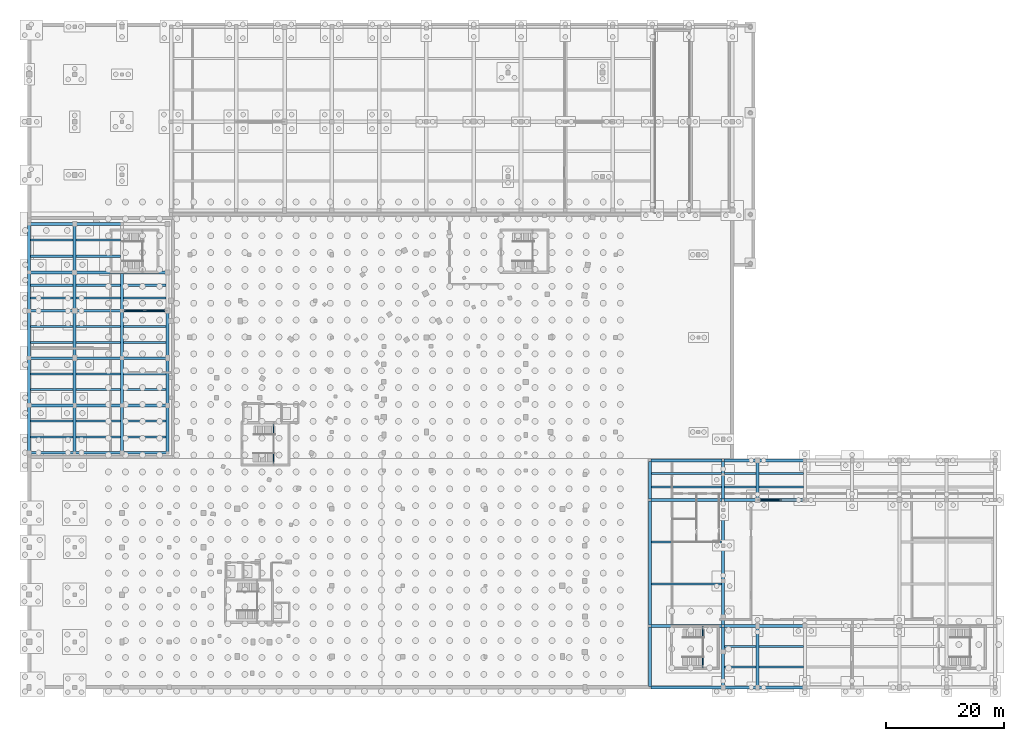
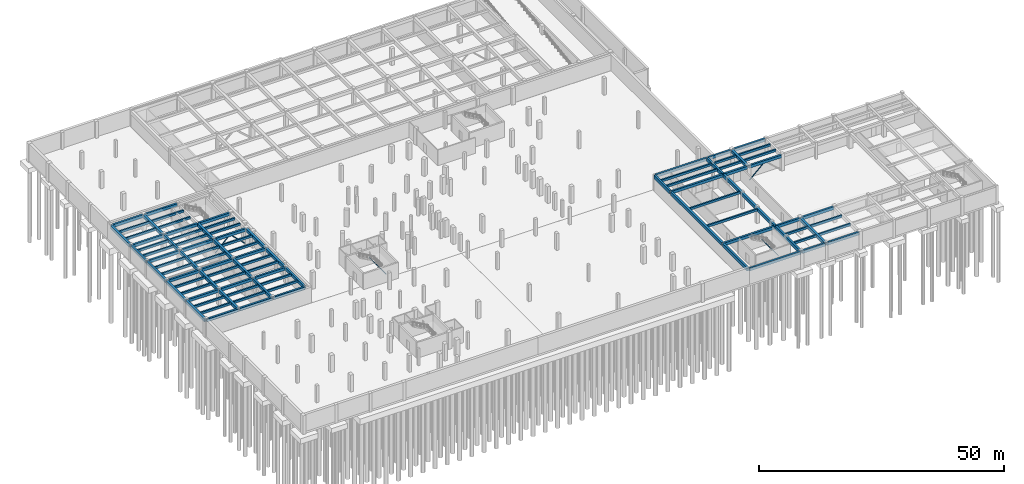
# One storey, part 10 of 36: 94 beams, 5 members.
"""IFC4 building model written with IfcOpenShell, lengths in metres."""

from ifc_helpers import new_model, si_unit, direction, frame, origin, origin_2d, place, context, subcontext, project, spatial, rectangle, hollow_rectangle, hollow_circle, extrude, material, material_profile, profile_set, type_object, element, save


model = new_model("IFC4")

# Units and contexts
model_context = context("Model", 3, precision=1e-05, world=origin(), true_north=direction((0.0, 1.0)))
body_context = subcontext(model_context, "Body", "Model", "MODEL_VIEW")
ifc_project = project(units=[si_unit("LENGTHUNIT", "METRE"), si_unit("AREAUNIT", "SQUARE_METRE"), si_unit("VOLUMEUNIT", "CUBIC_METRE"), si_unit("PLANEANGLEUNIT", "RADIAN"), si_unit("MASSUNIT", "GRAM", prefix="KILO"), si_unit("THERMODYNAMICTEMPERATUREUNIT", "KELVIN"), si_unit("POWERUNIT", "WATT")], contexts=[model_context])

# Site, building, storey
site_placement = place(None, origin())
site = spatial("IfcSite", under=ifc_project, at=site_placement, CompositionType="ELEMENT")
building_placement = place(site_placement, origin())
building = spatial("IfcBuilding", under=site, at=building_placement, Name="Solvatero Civic Police Headquarters", CompositionType="ELEMENT")
storey_placement = place(building_placement, frame((0.0, 0.0, -8.39990234375)))
storey = spatial("IfcBuildingStorey", under=building, at=storey_placement, Name="B02", CompositionType="ELEMENT", Elevation=-8.39990234375)

# Beams
ifc_material_1 = material(Name="Concrete C40/50", Category="concrete")
ifc_material_profile_1 = material_profile(ifc_material_1, rectangle(XDim=0.35009765625, YDim=0.550048828125, at=origin_2d()), Name="RC 350x550")
ifc_profile_set_1 = profile_set([ifc_material_profile_1], Name="Concrete C40/50")
beam_type_1 = type_object("IfcBeamType", Name="BM-RC-350x550", PredefinedType="BEAM", material=ifc_profile_set_1)
for number, where, z_axis, x_axis, name in (
    (1, (5.050048828125, 47.166748046875, 3.64501953125), (1.0, 0.0, 0.0), (0.0, 1.0, 0.0), "Primary girder BM-R2-B02-V6B-SEC-1-1-S1"),
    (2, (5.050048828125, 49.833251953125, 3.64501953125), (1.0, 0.0, 0.0), (0.0, 1.0, 0.0), "Primary girder BM-R2-B02-V6B-SEC-1-1-S2"),
    (3, (5.050048828125, 55.166748046875, 3.64501953125), (1.0, 0.0, 0.0), (0.0, 1.0, 0.0), "Primary girder BM-R2-B02-V6B-SEC-1-2-S1"),
    (4, (5.050048828125, 57.833251953125, 3.64501953125), (1.0, 0.0, 0.0), (0.0, 1.0, 0.0), "Primary girder BM-R2-B02-V6B-SEC-1-2-S2"),
    (5, (5.050048828125, 63.166748046875, 3.64501953125), (1.0, 0.0, 0.0), (0.0, 1.0, 0.0), "Primary girder BM-R2-B02-V6B-SEC-1-3-S1"),
    (6, (5.050048828125, 65.833251953125, 3.64501953125), (1.0, 0.0, 0.0), (0.0, 1.0, 0.0), "Primary girder BM-R2-B02-V6B-SEC-1-3-S2"),
    (7, (5.050048828125, 70.666748046875, 3.64501953125), (1.0, 0.0, 0.0), (0.0, 1.0, 0.0), "Primary girder BM-R2-B02-V6B-SEC-1-4-S1"),
    (8, (5.050048828125, 72.833251953125, 3.64501953125), (1.0, 0.0, 0.0), (0.0, 1.0, 0.0), "Primary girder BM-R2-B02-V6B-SEC-1-4-S2"),
    (9, (5.050048828125, 77.7333984375, 3.64501953125), (1.0, 0.0, 0.0), (0.0, 1.0, 0.0), "Primary girder BM-R2-B02-V6B-SEC-1-5-S1"),
    (10, (5.050048828125, 80.466796875, 3.64501953125), (1.0, 0.0, 0.0), (0.0, 1.0, 0.0), "Primary girder BM-R2-B02-V6B-SEC-1-5-S2"),
):
    element("IfcBeam", number, at=place(storey_placement, frame(where, z_axis=z_axis, x_axis=x_axis)), inside=storey, type_object=beam_type_1, Name=name, PredefinedType="BEAM", context=body_context, shape_type="SweptSolid", body=[
        extrude(rectangle(XDim=0.35009765625, YDim=0.550048828125, at=origin_2d()), origin(), (0.0, 0.0, 1.0), 7.199951171875),
    ])
for number, where, z_axis, x_axis, name in (
    (11, (12.75, 47.166748046875, 3.64501953125), (1.0, 0.0, 0.0), (0.0, 1.0, 0.0), "Primary girder BM-R2-B02-V6B-SEC-2-1-S1"),
    (12, (12.75, 49.833251953125, 3.64501953125), (1.0, 0.0, 0.0), (0.0, 1.0, 0.0), "Primary girder BM-R2-B02-V6B-SEC-2-1-S2"),
    (13, (12.75, 55.166748046875, 3.64501953125), (1.0, 0.0, 0.0), (0.0, 1.0, 0.0), "Primary girder BM-R2-B02-V6B-SEC-2-2-S1"),
    (14, (12.75, 57.833251953125, 3.64501953125), (1.0, 0.0, 0.0), (0.0, 1.0, 0.0), "Primary girder BM-R2-B02-V6B-SEC-2-2-S2"),
    (15, (12.75, 63.166748046875, 3.64501953125), (1.0, 0.0, 0.0), (0.0, 1.0, 0.0), "Primary girder BM-R2-B02-V6B-SEC-2-3-S1"),
    (16, (12.75, 65.833251953125, 3.64501953125), (1.0, 0.0, 0.0), (0.0, 1.0, 0.0), "Primary girder BM-R2-B02-V6B-SEC-2-3-S2"),
    (17, (12.75, 70.666748046875, 3.64501953125), (1.0, 0.0, 0.0), (0.0, 1.0, 0.0), "Primary girder BM-R2-B02-V6B-SEC-2-4-S1"),
    (18, (12.75, 72.833251953125, 3.64501953125), (1.0, 0.0, 0.0), (0.0, 1.0, 0.0), "Primary girder BM-R2-B02-V6B-SEC-2-4-S2"),
    (19, (12.75, 77.7333984375, 3.64501953125), (1.0, 0.0, 0.0), (0.0, 1.0, 0.0), "Primary girder BM-R2-B02-V6B-SEC-2-5-S1"),
    (20, (12.75, 80.466796875, 3.64501953125), (1.0, 0.0, 0.0), (0.0, 1.0, 0.0), "Primary girder BM-R2-B02-V6B-SEC-2-5-S2"),
):
    element("IfcBeam", number, at=place(storey_placement, frame(where, z_axis=z_axis, x_axis=x_axis)), inside=storey, type_object=beam_type_1, Name=name, PredefinedType="BEAM", context=body_context, shape_type="SweptSolid", body=[
        extrude(rectangle(XDim=0.35009765625, YDim=0.550048828125, at=origin_2d()), origin(), (0.0, 0.0, 1.0), 7.5),
    ])
for number, where, z_axis, x_axis, name in (
    (21, (20.75, 47.166748046875, 3.64501953125), (1.0, 0.0, 0.0), (0.0, 1.0, 0.0), "Primary girder BM-R2-B02-V6B-SEC-3-1-S1"),
    (22, (20.75, 49.833251953125, 3.64501953125), (1.0, 0.0, 0.0), (0.0, 1.0, 0.0), "Primary girder BM-R2-B02-V6B-SEC-3-1-S2"),
    (23, (20.75, 55.166748046875, 3.64501953125), (1.0, 0.0, 0.0), (0.0, 1.0, 0.0), "Primary girder BM-R2-B02-V6B-SEC-3-2-S1"),
    (24, (20.75, 57.833251953125, 3.64501953125), (1.0, 0.0, 0.0), (0.0, 1.0, 0.0), "Primary girder BM-R2-B02-V6B-SEC-3-2-S2"),
    (25, (20.75, 63.166748046875, 3.64501953125), (1.0, 0.0, 0.0), (0.0, 1.0, 0.0), "Primary girder BM-R2-B02-V6B-SEC-3-3-S1"),
    (26, (20.75, 65.833251953125, 3.64501953125), (1.0, 0.0, 0.0), (0.0, 1.0, 0.0), "Primary girder BM-R2-B02-V6B-SEC-3-3-S2"),
    (27, (20.75, 70.666748046875, 3.64501953125), (1.0, 0.0, 0.0), (0.0, 1.0, 0.0), "Primary girder BM-R2-B02-V6B-SEC-3-4-S1"),
    (28, (20.75, 72.833251953125, 3.64501953125), (1.0, 0.0, 0.0), (0.0, 1.0, 0.0), "Primary girder BM-R2-B02-V6B-SEC-3-4-S2"),
):
    element("IfcBeam", number, at=place(storey_placement, frame(where, z_axis=z_axis, x_axis=x_axis)), inside=storey, type_object=beam_type_1, Name=name, PredefinedType="BEAM", context=body_context, shape_type="SweptSolid", body=[
        extrude(rectangle(XDim=0.35009765625, YDim=0.550048828125, at=origin_2d()), origin(), (0.0, 0.0, 1.0), 7.199951171875),
    ])
for number, where, z_axis, x_axis, name in (
    (29, (110.050048828125, 22.300048828125, 3.64501953125), (1.0, 0.0, 0.0), (0.0, 1.0, 0.0), "Primary girder BM-R2-B02-V3B-SEC-1-2-S1"),
    (30, (110.050048828125, 29.39990234375, 3.64501953125), (1.0, 0.0, 0.0), (0.0, 1.0, 0.0), "Primary girder BM-R2-B02-V3B-SEC-1-2-S2"),
    (31, (110.050048828125, 38.7333984375, 3.64501953125), (1.0, 0.0, 0.0), (0.0, 1.0, 0.0), "Primary girder BM-R2-B02-V3B-SEC-1-3-S1"),
    (32, (110.050048828125, 40.966796875, 3.64501953125), (1.0, 0.0, 0.0), (0.0, 1.0, 0.0), "Primary girder BM-R2-B02-V3B-SEC-1-3-S2"),
):
    element("IfcBeam", number, at=place(storey_placement, frame(where, z_axis=z_axis, x_axis=x_axis)), inside=storey, type_object=beam_type_1, Name=name, PredefinedType="BEAM", context=body_context, shape_type="SweptSolid", body=[
        extrude(rectangle(XDim=0.35009765625, YDim=0.550048828125, at=origin_2d()), origin(), (0.0, 0.0, 1.0), 11.89990234375),
    ])
for number, where, z_axis, x_axis, name in (
    (33, (122.449951171875, 8.2666015625, 3.64501953125), (1.0, 0.0, 0.0), (0.0, 1.0, 0.0), "Primary girder BM-R2-B02-V3B-SEC-2-1-S1"),
    (34, (122.449951171875, 11.7333984375, 3.64501953125), (1.0, 0.0, 0.0), (0.0, 1.0, 0.0), "Primary girder BM-R2-B02-V3B-SEC-2-1-S2"),
    (35, (122.449951171875, 38.7333984375, 3.64501953125), (1.0, 0.0, 0.0), (0.0, 1.0, 0.0), "Primary girder BM-R2-B02-V3B-SEC-2-3-S1"),
    (36, (122.449951171875, 40.966796875, 3.64501953125), (1.0, 0.0, 0.0), (0.0, 1.0, 0.0), "Primary girder BM-R2-B02-V3B-SEC-2-3-S2"),
):
    element("IfcBeam", number, at=place(storey_placement, frame(where, z_axis=z_axis, x_axis=x_axis)), inside=storey, type_object=beam_type_1, Name=name, PredefinedType="BEAM", context=body_context, shape_type="SweptSolid", body=[
        extrude(rectangle(XDim=0.35009765625, YDim=0.550048828125, at=origin_2d()), origin(), (0.0, 0.0, 1.0), 5.300048828125),
    ])
for number, where, z_axis, x_axis, name in (
    (37, (128.25, 8.2666015625, 3.64501953125), (1.0, 0.0, 0.0), (0.0, 1.0, 0.0), "Primary girder BM-R2-B02-V3B-SEC-3-1-S1"),
    (38, (128.25, 11.7333984375, 3.64501953125), (1.0, 0.0, 0.0), (0.0, 1.0, 0.0), "Primary girder BM-R2-B02-V3B-SEC-3-1-S2"),
    (39, (128.25, 38.7333984375, 3.64501953125), (1.0, 0.0, 0.0), (0.0, 1.0, 0.0), "Primary girder BM-R2-B02-V3B-SEC-3-3-S1"),
    (40, (128.25, 40.966796875, 3.64501953125), (1.0, 0.0, 0.0), (0.0, 1.0, 0.0), "Primary girder BM-R2-B02-V3B-SEC-3-3-S2"),
):
    element("IfcBeam", number, at=place(storey_placement, frame(where, z_axis=z_axis, x_axis=x_axis)), inside=storey, type_object=beam_type_1, Name=name, PredefinedType="BEAM", context=body_context, shape_type="SweptSolid", body=[
        extrude(rectangle(XDim=0.35009765625, YDim=0.550048828125, at=origin_2d()), origin(), (0.0, 0.0, 1.0), 7.5),
    ])
ifc_material_profile_2 = material_profile(ifc_material_1, rectangle(XDim=0.449951171875, YDim=0.699951171875, at=origin_2d()), Name="RC 450x700")
ifc_profile_set_2 = profile_set([ifc_material_profile_2], Name="Concrete C40/50")
beam_type_2 = type_object("IfcBeamType", Name="BM-RC-450x700", PredefinedType="BEAM", material=ifc_profile_set_2)
beam_1_placement = place(storey_placement, frame((4.9599609375, 44.5, 3.56982421875), z_axis=(1.0, 0.0, 0.0), x_axis=(0.0, 1.0, 0.0)))
element("IfcBeam", 41, at=beam_1_placement, inside=storey, type_object=beam_type_2, Name="Primary girder BM-R2-B02-V6B-GX-1-1", PredefinedType="BEAM", context=body_context, shape_type="SweptSolid", body=[
    extrude(rectangle(XDim=0.449951171875, YDim=0.699951171875, at=origin_2d()), origin(), (0.0, 0.0, 1.0), 7.380126953125),
])
beam_2_placement = place(storey_placement, frame((12.659912109375, 44.5, 3.56982421875), z_axis=(1.0, 0.0, 0.0), x_axis=(0.0, 1.0, 0.0)))
element("IfcBeam", 42, at=beam_2_placement, inside=storey, type_object=beam_type_2, Name="Primary girder BM-R2-B02-V6B-GX-2-1", PredefinedType="BEAM", context=body_context, shape_type="SweptSolid", body=[
    extrude(rectangle(XDim=0.449951171875, YDim=0.699951171875, at=origin_2d()), origin(), (0.0, 0.0, 1.0), 7.68017578125),
])
for number, where, z_axis, x_axis, name in (
    (43, (20.659912109375, 44.5, 3.56982421875), (1.0, 0.0, 0.0), (0.0, 1.0, 0.0), "Primary girder BM-R2-B02-V6B-GX-3-1"),
    (44, (4.9599609375, 52.5, 3.56982421875), (1.0, 0.0, 0.0), (0.0, 1.0, 0.0), "Primary girder BM-R2-B02-V6B-GX-1-2"),
):
    element("IfcBeam", number, at=place(storey_placement, frame(where, z_axis=z_axis, x_axis=x_axis)), inside=storey, type_object=beam_type_2, Name=name, PredefinedType="BEAM", context=body_context, shape_type="SweptSolid", body=[
        extrude(rectangle(XDim=0.449951171875, YDim=0.699951171875, at=origin_2d()), origin(), (0.0, 0.0, 1.0), 7.380126953125),
    ])
beam_3_placement = place(storey_placement, frame((12.659912109375, 52.5, 3.56982421875), z_axis=(1.0, 0.0, 0.0), x_axis=(0.0, 1.0, 0.0)))
element("IfcBeam", 45, at=beam_3_placement, inside=storey, type_object=beam_type_2, Name="Primary girder BM-R2-B02-V6B-GX-2-2", PredefinedType="BEAM", context=body_context, shape_type="SweptSolid", body=[
    extrude(rectangle(XDim=0.449951171875, YDim=0.699951171875, at=origin_2d()), origin(), (0.0, 0.0, 1.0), 7.68017578125),
])
for number, where, z_axis, x_axis, name in (
    (46, (20.659912109375, 52.5, 3.56982421875), (1.0, 0.0, 0.0), (0.0, 1.0, 0.0), "Primary girder BM-R2-B02-V6B-GX-3-2"),
    (47, (4.9599609375, 60.5, 3.56982421875), (1.0, 0.0, 0.0), (0.0, 1.0, 0.0), "Primary girder BM-R2-B02-V6B-GX-1-3"),
):
    element("IfcBeam", number, at=place(storey_placement, frame(where, z_axis=z_axis, x_axis=x_axis)), inside=storey, type_object=beam_type_2, Name=name, PredefinedType="BEAM", context=body_context, shape_type="SweptSolid", body=[
        extrude(rectangle(XDim=0.449951171875, YDim=0.699951171875, at=origin_2d()), origin(), (0.0, 0.0, 1.0), 7.380126953125),
    ])
beam_4_placement = place(storey_placement, frame((12.659912109375, 60.5, 3.56982421875), z_axis=(1.0, 0.0, 0.0), x_axis=(0.0, 1.0, 0.0)))
element("IfcBeam", 48, at=beam_4_placement, inside=storey, type_object=beam_type_2, Name="Primary girder BM-R2-B02-V6B-GX-2-3", PredefinedType="BEAM", context=body_context, shape_type="SweptSolid", body=[
    extrude(rectangle(XDim=0.449951171875, YDim=0.699951171875, at=origin_2d()), origin(), (0.0, 0.0, 1.0), 7.68017578125),
])
for number, where, z_axis, x_axis, name in (
    (49, (20.659912109375, 60.5, 3.56982421875), (1.0, 0.0, 0.0), (0.0, 1.0, 0.0), "Primary girder BM-R2-B02-V6B-GX-3-3"),
    (50, (4.9599609375, 68.5, 3.56982421875), (1.0, 0.0, 0.0), (0.0, 1.0, 0.0), "Primary girder BM-R2-B02-V6B-GX-1-4"),
):
    element("IfcBeam", number, at=place(storey_placement, frame(where, z_axis=z_axis, x_axis=x_axis)), inside=storey, type_object=beam_type_2, Name=name, PredefinedType="BEAM", context=body_context, shape_type="SweptSolid", body=[
        extrude(rectangle(XDim=0.449951171875, YDim=0.699951171875, at=origin_2d()), origin(), (0.0, 0.0, 1.0), 7.380126953125),
    ])
beam_5_placement = place(storey_placement, frame((12.659912109375, 68.5, 3.56982421875), z_axis=(1.0, 0.0, 0.0), x_axis=(0.0, 1.0, 0.0)))
element("IfcBeam", 51, at=beam_5_placement, inside=storey, type_object=beam_type_2, Name="Primary girder BM-R2-B02-V6B-GX-2-4", PredefinedType="BEAM", context=body_context, shape_type="SweptSolid", body=[
    extrude(rectangle(XDim=0.449951171875, YDim=0.699951171875, at=origin_2d()), origin(), (0.0, 0.0, 1.0), 7.68017578125),
])
for number, where, z_axis, x_axis, name in (
    (52, (20.659912109375, 68.5, 3.56982421875), (1.0, 0.0, 0.0), (0.0, 1.0, 0.0), "Primary girder BM-R2-B02-V6B-GX-3-4"),
    (53, (4.9599609375, 75.0, 3.56982421875), (1.0, 0.0, 0.0), (0.0, 1.0, 0.0), "Primary girder BM-R2-B02-V6B-GX-1-5"),
):
    element("IfcBeam", number, at=place(storey_placement, frame(where, z_axis=z_axis, x_axis=x_axis)), inside=storey, type_object=beam_type_2, Name=name, PredefinedType="BEAM", context=body_context, shape_type="SweptSolid", body=[
        extrude(rectangle(XDim=0.449951171875, YDim=0.699951171875, at=origin_2d()), origin(), (0.0, 0.0, 1.0), 7.380126953125),
    ])
beam_6_placement = place(storey_placement, frame((12.659912109375, 75.0, 3.56982421875), z_axis=(1.0, 0.0, 0.0), x_axis=(0.0, 1.0, 0.0)))
element("IfcBeam", 54, at=beam_6_placement, inside=storey, type_object=beam_type_2, Name="Primary girder BM-R2-B02-V6B-GX-2-5", PredefinedType="BEAM", context=body_context, shape_type="SweptSolid", body=[
    extrude(rectangle(XDim=0.449951171875, YDim=0.699951171875, at=origin_2d()), origin(), (0.0, 0.0, 1.0), 7.68017578125),
])
for number, where, z_axis, x_axis, name in (
    (55, (20.659912109375, 75.0, 3.56982421875), (1.0, 0.0, 0.0), (0.0, 1.0, 0.0), "Primary girder BM-R2-B02-V6B-GX-3-5"),
    (56, (4.9599609375, 83.199951171875, 3.56982421875), (1.0, 0.0, 0.0), (0.0, 1.0, 0.0), "Primary girder BM-R2-B02-V6B-GX-1-6"),
):
    element("IfcBeam", number, at=place(storey_placement, frame(where, z_axis=z_axis, x_axis=x_axis)), inside=storey, type_object=beam_type_2, Name=name, PredefinedType="BEAM", context=body_context, shape_type="SweptSolid", body=[
        extrude(rectangle(XDim=0.449951171875, YDim=0.699951171875, at=origin_2d()), origin(), (0.0, 0.0, 1.0), 7.380126953125),
    ])
beam_7_placement = place(storey_placement, frame((12.659912109375, 83.199951171875, 3.56982421875), z_axis=(1.0, 0.0, 0.0), x_axis=(0.0, 1.0, 0.0)))
element("IfcBeam", 57, at=beam_7_placement, inside=storey, type_object=beam_type_2, Name="Primary girder BM-R2-B02-V6B-GX-2-6", PredefinedType="BEAM", context=body_context, shape_type="SweptSolid", body=[
    extrude(rectangle(XDim=0.449951171875, YDim=0.699951171875, at=origin_2d()), origin(), (0.0, 0.0, 1.0), 7.68017578125),
])
beam_8_placement = place(storey_placement, frame((109.9599609375, 4.800048828125, 3.56982421875), z_axis=(1.0, 0.0, 0.0), x_axis=(0.0, 1.0, 0.0)))
element("IfcBeam", 58, at=beam_8_placement, inside=storey, type_object=beam_type_2, Name="Primary girder BM-R2-B02-V3B-GX-1-1", PredefinedType="BEAM", context=body_context, shape_type="SweptSolid", body=[
    extrude(rectangle(XDim=0.449951171875, YDim=0.699951171875, at=origin_2d()), origin(), (0.0, 0.0, 1.0), 12.080078125),
])
beam_9_placement = place(storey_placement, frame((122.360107421875, 4.800048828125, 3.56982421875), z_axis=(1.0, 0.0, 0.0), x_axis=(0.0, 1.0, 0.0)))
element("IfcBeam", 59, at=beam_9_placement, inside=storey, type_object=beam_type_2, Name="Primary girder BM-R2-B02-V3B-GX-2-1", PredefinedType="BEAM", context=body_context, shape_type="SweptSolid", body=[
    extrude(rectangle(XDim=0.449951171875, YDim=0.699951171875, at=origin_2d()), origin(), (0.0, 0.0, 1.0), 5.47998046875),
])
beam_10_placement = place(storey_placement, frame((128.159912109375, 4.800048828125, 3.56982421875), z_axis=(1.0, 0.0, 0.0), x_axis=(0.0, 1.0, 0.0)))
element("IfcBeam", 60, at=beam_10_placement, inside=storey, type_object=beam_type_2, Name="Primary girder BM-R2-B02-V3B-GX-3-1", PredefinedType="BEAM", context=body_context, shape_type="SweptSolid", body=[
    extrude(rectangle(XDim=0.449951171875, YDim=0.699951171875, at=origin_2d()), origin(), (0.0, 0.0, 1.0), 7.68017578125),
])
beam_11_placement = place(storey_placement, frame((109.9599609375, 15.199951171875, 3.56982421875), z_axis=(1.0, 0.0, 0.0), x_axis=(0.0, 1.0, 0.0)))
element("IfcBeam", 61, at=beam_11_placement, inside=storey, type_object=beam_type_2, Name="Primary girder BM-R2-B02-V3B-GX-1-2", PredefinedType="BEAM", context=body_context, shape_type="SweptSolid", body=[
    extrude(rectangle(XDim=0.449951171875, YDim=0.699951171875, at=origin_2d()), origin(), (0.0, 0.0, 1.0), 12.080078125),
])
beam_12_placement = place(storey_placement, frame((122.360107421875, 15.199951171875, 3.56982421875), z_axis=(1.0, 0.0, 0.0), x_axis=(0.0, 1.0, 0.0)))
element("IfcBeam", 62, at=beam_12_placement, inside=storey, type_object=beam_type_2, Name="Primary girder BM-R2-B02-V3B-GX-2-2", PredefinedType="BEAM", context=body_context, shape_type="SweptSolid", body=[
    extrude(rectangle(XDim=0.449951171875, YDim=0.699951171875, at=origin_2d()), origin(), (0.0, 0.0, 1.0), 5.47998046875),
])
beam_13_placement = place(storey_placement, frame((128.159912109375, 15.199951171875, 3.56982421875), z_axis=(1.0, 0.0, 0.0), x_axis=(0.0, 1.0, 0.0)))
element("IfcBeam", 63, at=beam_13_placement, inside=storey, type_object=beam_type_2, Name="Primary girder BM-R2-B02-V3B-GX-3-2", PredefinedType="BEAM", context=body_context, shape_type="SweptSolid", body=[
    extrude(rectangle(XDim=0.449951171875, YDim=0.699951171875, at=origin_2d()), origin(), (0.0, 0.0, 1.0), 7.68017578125),
])
beam_14_placement = place(storey_placement, frame((109.9599609375, 36.5, 3.56982421875), z_axis=(1.0, 0.0, 0.0), x_axis=(0.0, 1.0, 0.0)))
element("IfcBeam", 64, at=beam_14_placement, inside=storey, type_object=beam_type_2, Name="Primary girder BM-R2-B02-V3B-GX-1-3", PredefinedType="BEAM", context=body_context, shape_type="SweptSolid", body=[
    extrude(rectangle(XDim=0.449951171875, YDim=0.699951171875, at=origin_2d()), origin(), (0.0, 0.0, 1.0), 12.080078125),
])
beam_15_placement = place(storey_placement, frame((122.360107421875, 36.5, 3.56982421875), z_axis=(1.0, 0.0, 0.0), x_axis=(0.0, 1.0, 0.0)))
element("IfcBeam", 65, at=beam_15_placement, inside=storey, type_object=beam_type_2, Name="Primary girder BM-R2-B02-V3B-GX-2-3", PredefinedType="BEAM", context=body_context, shape_type="SweptSolid", body=[
    extrude(rectangle(XDim=0.449951171875, YDim=0.699951171875, at=origin_2d()), origin(), (0.0, 0.0, 1.0), 5.47998046875),
])
beam_16_placement = place(storey_placement, frame((128.159912109375, 36.5, 3.56982421875), z_axis=(1.0, 0.0, 0.0), x_axis=(0.0, 1.0, 0.0)))
element("IfcBeam", 66, at=beam_16_placement, inside=storey, type_object=beam_type_2, Name="Primary girder BM-R2-B02-V3B-GX-3-3", PredefinedType="BEAM", context=body_context, shape_type="SweptSolid", body=[
    extrude(rectangle(XDim=0.449951171875, YDim=0.699951171875, at=origin_2d()), origin(), (0.0, 0.0, 1.0), 7.68017578125),
])
beam_17_placement = place(storey_placement, frame((109.9599609375, 43.199951171875, 3.56982421875), z_axis=(1.0, 0.0, 0.0), x_axis=(0.0, 1.0, 0.0)))
element("IfcBeam", 67, at=beam_17_placement, inside=storey, type_object=beam_type_2, Name="Primary girder BM-R2-B02-V3B-GX-1-4", PredefinedType="BEAM", context=body_context, shape_type="SweptSolid", body=[
    extrude(rectangle(XDim=0.449951171875, YDim=0.699951171875, at=origin_2d()), origin(), (0.0, 0.0, 1.0), 12.080078125),
])
beam_18_placement = place(storey_placement, frame((122.360107421875, 43.199951171875, 3.56982421875), z_axis=(1.0, 0.0, 0.0), x_axis=(0.0, 1.0, 0.0)))
element("IfcBeam", 68, at=beam_18_placement, inside=storey, type_object=beam_type_2, Name="Primary girder BM-R2-B02-V3B-GX-2-4", PredefinedType="BEAM", context=body_context, shape_type="SweptSolid", body=[
    extrude(rectangle(XDim=0.449951171875, YDim=0.699951171875, at=origin_2d()), origin(), (0.0, 0.0, 1.0), 5.47998046875),
])
beam_19_placement = place(storey_placement, frame((128.159912109375, 43.199951171875, 3.56982421875), z_axis=(1.0, 0.0, 0.0), x_axis=(0.0, 1.0, 0.0)))
element("IfcBeam", 69, at=beam_19_placement, inside=storey, type_object=beam_type_2, Name="Primary girder BM-R2-B02-V3B-GX-3-4", PredefinedType="BEAM", context=body_context, shape_type="SweptSolid", body=[
    extrude(rectangle(XDim=0.449951171875, YDim=0.699951171875, at=origin_2d()), origin(), (0.0, 0.0, 1.0), 7.68017578125),
])
ifc_material_profile_3 = material_profile(ifc_material_1, rectangle(XDim=0.5, YDim=0.75, at=origin_2d()), Name="RC 500x750")
ifc_profile_set_3 = profile_set([ifc_material_profile_3], Name="Concrete C40/50")
beam_type_3 = type_object("IfcBeamType", Name="BM-RC-500x750", PredefinedType="BEAM", material=ifc_profile_set_3)
for number, where, z_axis, x_axis, name in (
    (70, (4.800048828125, 44.659912109375, 3.544921875), (0.0, 1.0, 0.0), (-1.0, 0.0, 0.0), "Primary girder BM-R2-B02-V6B-GY-1-1"),
    (71, (4.800048828125, 52.659912109375, 3.544921875), (0.0, 1.0, 0.0), (-1.0, 0.0, 0.0), "Primary girder BM-R2-B02-V6B-GY-1-2"),
    (72, (4.800048828125, 60.659912109375, 3.544921875), (0.0, 1.0, 0.0), (-1.0, 0.0, 0.0), "Primary girder BM-R2-B02-V6B-GY-1-3"),
):
    element("IfcBeam", number, at=place(storey_placement, frame(where, z_axis=z_axis, x_axis=x_axis)), inside=storey, type_object=beam_type_3, Name=name, PredefinedType="BEAM", context=body_context, shape_type="SweptSolid", body=[
        extrude(rectangle(XDim=0.5, YDim=0.75, at=origin_2d()), origin(), (0.0, 0.0, 1.0), 7.68017578125),
    ])
beam_20_placement = place(storey_placement, frame((4.800048828125, 68.659912109375, 3.544921875), z_axis=(0.0, 1.0, 0.0), x_axis=(-1.0, 0.0, 0.0)))
element("IfcBeam", 73, at=beam_20_placement, inside=storey, type_object=beam_type_3, Name="Primary girder BM-R2-B02-V6B-GY-1-4", PredefinedType="BEAM", context=body_context, shape_type="SweptSolid", body=[
    extrude(rectangle(XDim=0.5, YDim=0.75, at=origin_2d()), origin(), (0.0, 0.0, 1.0), 6.18017578125),
])
beam_21_placement = place(storey_placement, frame((4.800048828125, 75.159912109375, 3.544921875), z_axis=(0.0, 1.0, 0.0), x_axis=(-1.0, 0.0, 0.0)))
element("IfcBeam", 74, at=beam_21_placement, inside=storey, type_object=beam_type_3, Name="Primary girder BM-R2-B02-V6B-GY-1-5", PredefinedType="BEAM", context=body_context, shape_type="SweptSolid", body=[
    extrude(rectangle(XDim=0.5, YDim=0.75, at=origin_2d()), origin(), (0.0, 0.0, 1.0), 7.880126953125),
])
for number, where, z_axis, x_axis, name in (
    (75, (12.5, 44.659912109375, 3.544921875), (0.0, 1.0, 0.0), (-1.0, 0.0, 0.0), "Primary girder BM-R2-B02-V6B-GY-2-1"),
    (76, (12.5, 52.659912109375, 3.544921875), (0.0, 1.0, 0.0), (-1.0, 0.0, 0.0), "Primary girder BM-R2-B02-V6B-GY-2-2"),
    (77, (12.5, 60.659912109375, 3.544921875), (0.0, 1.0, 0.0), (-1.0, 0.0, 0.0), "Primary girder BM-R2-B02-V6B-GY-2-3"),
):
    element("IfcBeam", number, at=place(storey_placement, frame(where, z_axis=z_axis, x_axis=x_axis)), inside=storey, type_object=beam_type_3, Name=name, PredefinedType="BEAM", context=body_context, shape_type="SweptSolid", body=[
        extrude(rectangle(XDim=0.5, YDim=0.75, at=origin_2d()), origin(), (0.0, 0.0, 1.0), 7.68017578125),
    ])
beam_22_placement = place(storey_placement, frame((12.5, 68.659912109375, 3.544921875), z_axis=(0.0, 1.0, 0.0), x_axis=(-1.0, 0.0, 0.0)))
element("IfcBeam", 78, at=beam_22_placement, inside=storey, type_object=beam_type_3, Name="Primary girder BM-R2-B02-V6B-GY-2-4", PredefinedType="BEAM", context=body_context, shape_type="SweptSolid", body=[
    extrude(rectangle(XDim=0.5, YDim=0.75, at=origin_2d()), origin(), (0.0, 0.0, 1.0), 6.18017578125),
])
beam_23_placement = place(storey_placement, frame((12.5, 75.159912109375, 3.544921875), z_axis=(0.0, 1.0, 0.0), x_axis=(-1.0, 0.0, 0.0)))
element("IfcBeam", 79, at=beam_23_placement, inside=storey, type_object=beam_type_3, Name="Primary girder BM-R2-B02-V6B-GY-2-5", PredefinedType="BEAM", context=body_context, shape_type="SweptSolid", body=[
    extrude(rectangle(XDim=0.5, YDim=0.75, at=origin_2d()), origin(), (0.0, 0.0, 1.0), 7.880126953125),
])
for number, where, z_axis, x_axis, name in (
    (80, (20.5, 44.659912109375, 3.544921875), (0.0, 1.0, 0.0), (-1.0, 0.0, 0.0), "Primary girder BM-R2-B02-V6B-GY-3-1"),
    (81, (20.5, 52.659912109375, 3.544921875), (0.0, 1.0, 0.0), (-1.0, 0.0, 0.0), "Primary girder BM-R2-B02-V6B-GY-3-2"),
    (82, (20.5, 60.659912109375, 3.544921875), (0.0, 1.0, 0.0), (-1.0, 0.0, 0.0), "Primary girder BM-R2-B02-V6B-GY-3-3"),
):
    element("IfcBeam", number, at=place(storey_placement, frame(where, z_axis=z_axis, x_axis=x_axis)), inside=storey, type_object=beam_type_3, Name=name, PredefinedType="BEAM", context=body_context, shape_type="SweptSolid", body=[
        extrude(rectangle(XDim=0.5, YDim=0.75, at=origin_2d()), origin(), (0.0, 0.0, 1.0), 7.68017578125),
    ])
beam_24_placement = place(storey_placement, frame((20.5, 68.659912109375, 3.544921875), z_axis=(0.0, 1.0, 0.0), x_axis=(-1.0, 0.0, 0.0)))
element("IfcBeam", 83, at=beam_24_placement, inside=storey, type_object=beam_type_3, Name="Primary girder BM-R2-B02-V6B-GY-3-4", PredefinedType="BEAM", context=body_context, shape_type="SweptSolid", body=[
    extrude(rectangle(XDim=0.5, YDim=0.75, at=origin_2d()), origin(), (0.0, 0.0, 1.0), 6.18017578125),
])
for number, where, z_axis, x_axis, name in (
    (84, (28.199951171875, 44.659912109375, 3.544921875), (0.0, 1.0, 0.0), (-1.0, 0.0, 0.0), "Primary girder BM-R2-B02-V6B-GY-4-1"),
    (85, (28.199951171875, 52.659912109375, 3.544921875), (0.0, 1.0, 0.0), (-1.0, 0.0, 0.0), "Primary girder BM-R2-B02-V6B-GY-4-2"),
    (86, (28.199951171875, 60.659912109375, 3.544921875), (0.0, 1.0, 0.0), (-1.0, 0.0, 0.0), "Primary girder BM-R2-B02-V6B-GY-4-3"),
):
    element("IfcBeam", number, at=place(storey_placement, frame(where, z_axis=z_axis, x_axis=x_axis)), inside=storey, type_object=beam_type_3, Name=name, PredefinedType="BEAM", context=body_context, shape_type="SweptSolid", body=[
        extrude(rectangle(XDim=0.5, YDim=0.75, at=origin_2d()), origin(), (0.0, 0.0, 1.0), 7.68017578125),
    ])
ifc_material_profile_4 = material_profile(ifc_material_1, rectangle(XDim=0.5, YDim=0.800048828125, at=origin_2d()), Name="RC 500x800")
ifc_profile_set_4 = profile_set([ifc_material_profile_4], Name="Concrete C40/50")
beam_type_4 = type_object("IfcBeamType", Name="BM-RC-500x800", PredefinedType="BEAM", material=ifc_profile_set_4)
beam_25_placement = place(storey_placement, frame((109.800048828125, 4.9599609375, 3.52001953125), z_axis=(0.0, 1.0, 0.0), x_axis=(-1.0, 0.0, 0.0)))
element("IfcBeam", 87, at=beam_25_placement, inside=storey, type_object=beam_type_4, Name="Primary girder BM-R2-B02-V3B-GY-1-1", PredefinedType="BEAM", context=body_context, shape_type="SweptSolid", body=[
    extrude(rectangle(XDim=0.5, YDim=0.800048828125, at=origin_2d()), origin(), (0.0, 0.0, 1.0), 10.080078125),
])
beam_26_placement = place(storey_placement, frame((109.800048828125, 15.360107421875, 3.52001953125), z_axis=(0.0, 1.0, 0.0), x_axis=(-1.0, 0.0, 0.0)))
element("IfcBeam", 88, at=beam_26_placement, inside=storey, type_object=beam_type_4, Name="Primary girder BM-R2-B02-V3B-GY-1-2", PredefinedType="BEAM", context=body_context, shape_type="SweptSolid", body=[
    extrude(rectangle(XDim=0.5, YDim=0.800048828125, at=origin_2d()), origin(), (0.0, 0.0, 1.0), 20.97998046875),
])
beam_27_placement = place(storey_placement, frame((109.800048828125, 36.659912109375, 3.52001953125), z_axis=(0.0, 1.0, 0.0), x_axis=(-1.0, 0.0, 0.0)))
element("IfcBeam", 89, at=beam_27_placement, inside=storey, type_object=beam_type_4, Name="Primary girder BM-R2-B02-V3B-GY-1-3", PredefinedType="BEAM", context=body_context, shape_type="SweptSolid", body=[
    extrude(rectangle(XDim=0.5, YDim=0.800048828125, at=origin_2d()), origin(), (0.0, 0.0, 1.0), 6.380126953125),
])
beam_28_placement = place(storey_placement, frame((122.199951171875, 4.9599609375, 3.52001953125), z_axis=(0.0, 1.0, 0.0), x_axis=(-1.0, 0.0, 0.0)))
element("IfcBeam", 90, at=beam_28_placement, inside=storey, type_object=beam_type_4, Name="Primary girder BM-R2-B02-V3B-GY-2-1", PredefinedType="BEAM", context=body_context, shape_type="SweptSolid", body=[
    extrude(rectangle(XDim=0.5, YDim=0.800048828125, at=origin_2d()), origin(), (0.0, 0.0, 1.0), 10.080078125),
])
beam_29_placement = place(storey_placement, frame((122.199951171875, 15.360107421875, 3.52001953125), z_axis=(0.0, 1.0, 0.0), x_axis=(-1.0, 0.0, 0.0)))
element("IfcBeam", 91, at=beam_29_placement, inside=storey, type_object=beam_type_4, Name="Primary girder BM-R2-B02-V3B-GY-2-2", PredefinedType="BEAM", context=body_context, shape_type="SweptSolid", body=[
    extrude(rectangle(XDim=0.5, YDim=0.800048828125, at=origin_2d()), origin(), (0.0, 0.0, 1.0), 20.97998046875),
])
beam_30_placement = place(storey_placement, frame((122.199951171875, 36.659912109375, 3.52001953125), z_axis=(0.0, 1.0, 0.0), x_axis=(-1.0, 0.0, 0.0)))
element("IfcBeam", 92, at=beam_30_placement, inside=storey, type_object=beam_type_4, Name="Primary girder BM-R2-B02-V3B-GY-2-3", PredefinedType="BEAM", context=body_context, shape_type="SweptSolid", body=[
    extrude(rectangle(XDim=0.5, YDim=0.800048828125, at=origin_2d()), origin(), (0.0, 0.0, 1.0), 6.380126953125),
])
beam_31_placement = place(storey_placement, frame((128.0, 4.9599609375, 3.52001953125), z_axis=(0.0, 1.0, 0.0), x_axis=(-1.0, 0.0, 0.0)))
element("IfcBeam", 93, at=beam_31_placement, inside=storey, type_object=beam_type_4, Name="Primary girder BM-R2-B02-V3B-GY-3-1", PredefinedType="BEAM", context=body_context, shape_type="SweptSolid", body=[
    extrude(rectangle(XDim=0.5, YDim=0.800048828125, at=origin_2d()), origin(), (0.0, 0.0, 1.0), 10.080078125),
])
beam_32_placement = place(storey_placement, frame((128.0, 36.659912109375, 3.52001953125), z_axis=(0.0, 1.0, 0.0), x_axis=(-1.0, 0.0, 0.0)))
element("IfcBeam", 94, at=beam_32_placement, inside=storey, type_object=beam_type_4, Name="Primary girder BM-R2-B02-V3B-GY-3-3", PredefinedType="BEAM", context=body_context, shape_type="SweptSolid", body=[
    extrude(rectangle(XDim=0.5, YDim=0.800048828125, at=origin_2d()), origin(), (0.0, 0.0, 1.0), 6.380126953125),
])

# Members
ifc_material_2 = material(Name="Steel S355", Category="steel")
ifc_material_profile_5 = material_profile(ifc_material_2, hollow_circle(Radius=0.109619140625, WallThickness=0.012451171875, at=origin_2d()), Name="CHS 219.1x12.5")
ifc_profile_set_5 = profile_set([ifc_material_profile_5], Name="Steel S355")
member_type_1 = type_object("IfcMemberType", Name="MB-BR-CHS219", PredefinedType="BRACE", material=ifc_profile_set_5)
for number, where, z_axis, x_axis, name in (
    (95, (20.800048828125, 68.5, 0.119873046875), (0.717144854109, 0.0, 0.69692414094), (0.0, 1.0, 0.0), "Chevron Brace BR-V6-INT2 Left B02"),
    (96, (27.89990234375, 68.5, 0.119873046875), (-0.71712089853, 0.0, 0.696948790724), (0.0, -1.0, 0.0), "Chevron Brace BR-V6-INT2 Right B02"),
):
    element("IfcMember", number, at=place(storey_placement, frame(where, z_axis=z_axis, x_axis=x_axis)), inside=storey, type_object=member_type_1, Name=name, PredefinedType="BRACE", context=body_context, shape_type="SweptSolid", body=[
        extrude(hollow_circle(Radius=0.109619140625, WallThickness=0.012451171875, at=origin_2d()), origin(), (0.0, 0.0, 1.0), 4.9501953125),
    ])
ifc_material_profile_6 = material_profile(ifc_material_2, hollow_rectangle(XDim=0.10009765625, YDim=0.14990234375, WallThickness=0.00634765625, InnerFilletRadius=0.00634765625, OuterFilletRadius=0.0126953125, at=origin_2d()), Name="RHS 150x100x6.3")
ifc_profile_set_6 = profile_set([ifc_material_profile_6], Name="Steel S355")
member_type_2 = type_object("IfcMemberType", Name="MB-BR-RHS150", PredefinedType="BRACE", material=ifc_profile_set_6)
for number, where, z_axis, x_axis, name in (
    (97, (46.139892578125, 42.47998046875, 1.824951171875), (0.0, 1.0, 0.0), (-1.0, 0.0, 0.0), "ST-C2 B02 Landing Support Beam"),
    (98, (118.739990234375, 8.080078125, 1.824951171875), (0.0, 1.0, 0.0), (-1.0, 0.0, 0.0), "ST-C5 B02 Landing Support Beam"),
):
    element("IfcMember", number, at=place(storey_placement, frame(where, z_axis=z_axis, x_axis=x_axis)), inside=storey, type_object=member_type_2, Name=name, PredefinedType="BRACE", context=body_context, shape_type="SweptSolid", body=[
        extrude(hollow_rectangle(XDim=0.10009765625, YDim=0.14990234375, WallThickness=0.00634765625, InnerFilletRadius=0.00634765625, OuterFilletRadius=0.0126953125, at=origin_2d()), origin(), (0.0, 0.0, 1.0), 7.0400390625),
    ])
ifc_material_profile_7 = material_profile(ifc_material_2, hollow_rectangle(XDim=0.1201171875, YDim=0.199951171875, WallThickness=0.010009765625, InnerFilletRadius=0.010009765625, OuterFilletRadius=0.02001953125, at=origin_2d()), Name="RHS 200x120x10.0")
ifc_profile_set_7 = profile_set([ifc_material_profile_7], Name="Steel S355")
member_type_3 = type_object("IfcMemberType", Name="MB-BR-RHS200W", PredefinedType="BRACE", material=ifc_profile_set_7)
member_placement = place(storey_placement, frame((128.300048828125, 36.5, 0.119873046875), z_axis=(0.731384178355, 0.0, 0.681965676301), x_axis=(0.0, 1.0, 0.0)))
element("IfcMember", 99, at=member_placement, inside=storey, type_object=member_type_3, Name="Chevron Brace BR-V3-INT Left B02", PredefinedType="BRACE", context=body_context, shape_type="SweptSolid", body=[
    extrude(hollow_rectangle(XDim=0.1201171875, YDim=0.199951171875, WallThickness=0.010009765625, InnerFilletRadius=0.010009765625, OuterFilletRadius=0.02001953125, at=origin_2d()), origin(), (0.0, 0.0, 1.0), 5.058837890625),
])

save(model, "model.ifc")
